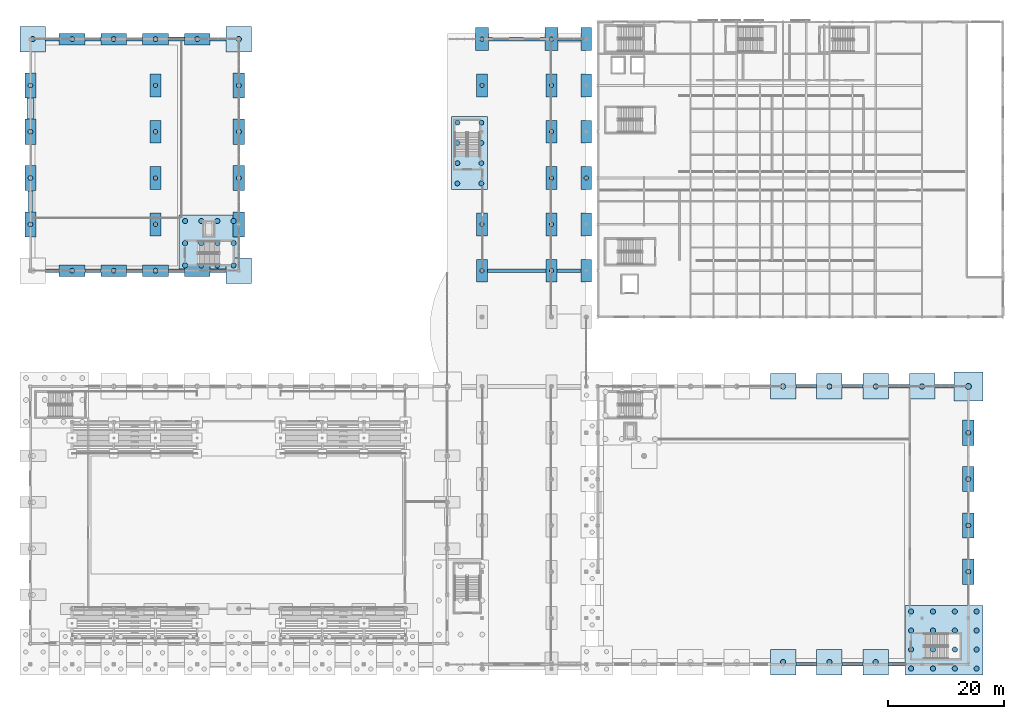
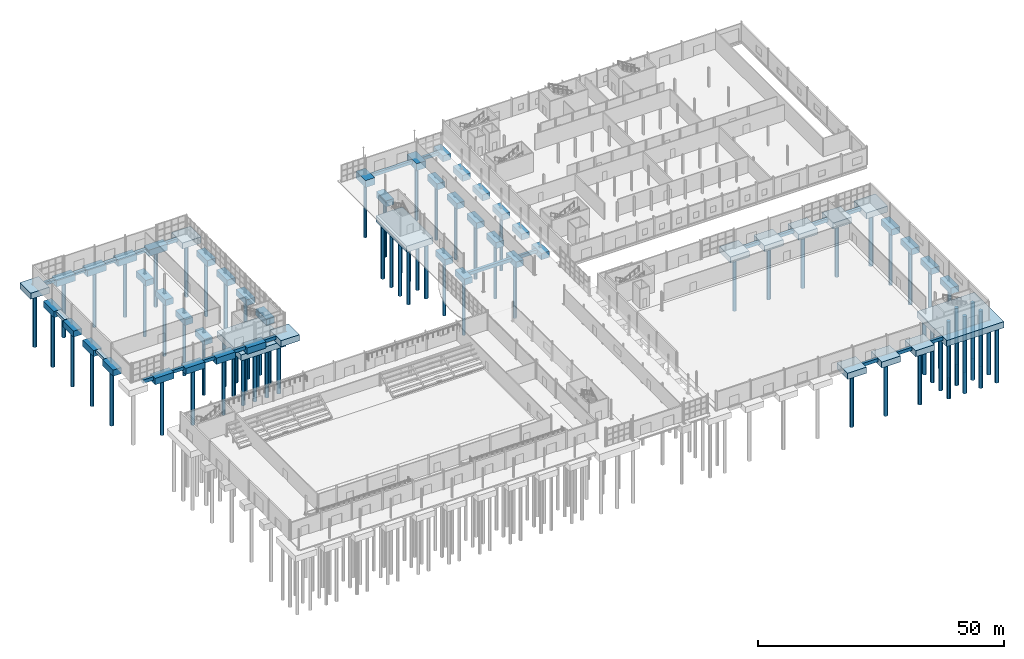
# One storey, part 3 of 101: 79 piles, 77 footings.
"""IFC4 building model written with IfcOpenShell, lengths in metres."""

from ifc_helpers import new_model, si_unit, derived_unit, direction, frame, origin, origin_2d, place, context, subcontext, project, spatial, rectangle, circle, extrude, material, material_profile, profile_set, type_object, element, save


model = new_model("IFC4")

# Units and contexts
model_context = context("Model", 3, precision=1e-05, world=origin(), true_north=direction((0.0, 1.0)))
body_context = subcontext(model_context, "Body", "Model", "MODEL_VIEW")
ifc_project = project(units=[si_unit("LENGTHUNIT", "METRE"), si_unit("AREAUNIT", "SQUARE_METRE"), si_unit("VOLUMEUNIT", "CUBIC_METRE"), si_unit("PLANEANGLEUNIT", "RADIAN"), si_unit("MASSUNIT", "GRAM", prefix="KILO"), derived_unit("THERMALTRANSMITTANCEUNIT", [(si_unit("POWERUNIT", "WATT"), 1), (si_unit("LENGTHUNIT", "METRE"), -2), (si_unit("THERMODYNAMICTEMPERATUREUNIT", "KELVIN"), -1)])], contexts=[model_context])

# Site, building, storey
site_placement = place(None, origin())
site = spatial("IfcSite", under=ifc_project, at=site_placement, CompositionType="ELEMENT")
building_placement = place(site_placement, origin())
building = spatial("IfcBuilding", under=site, at=building_placement, Name="Keldorne Ridge Multi-Sports Centre", CompositionType="ELEMENT")
storey_placement = place(building_placement, origin())
storey = spatial("IfcBuildingStorey", under=building, at=storey_placement, Name="L00", CompositionType="ELEMENT", Elevation=0.0)

# Footings
ifc_material = material(Name="Concrete C35/45", Category="concrete")
ifc_material_profile_1 = material_profile(ifc_material, rectangle(XDim=0.60009765625, YDim=0.800048828125, at=origin_2d()), Name="GB 600x800")
ifc_profile_set_1 = profile_set([ifc_material_profile_1], Name="Concrete C35/45")
footing_type_1 = type_object("IfcFootingType", Name="FTG-GB01", PredefinedType="FOOTING_BEAM", material=ifc_profile_set_1)
for number, where, z_axis, x_axis, name in (
    (1, (138.199951171875, 6.0, -0.64990234375), (1.0, 0.0, 0.0), (0.0, 1.0, 0.0), "Ground tie beam GB-017"),
    (2, (146.199951171875, 6.0, -0.64990234375), (1.0, 0.0, 0.0), (0.0, 1.0, 0.0), "Ground tie beam GB-018"),
):
    element("IfcFooting", number, at=place(storey_placement, frame(where, z_axis=z_axis, x_axis=x_axis)), inside=storey, type_object=footing_type_1, Name=name, PredefinedType="FOOTING_BEAM", context=body_context, shape_type="SweptSolid", body=[
        extrude(rectangle(XDim=0.60009765625, YDim=0.800048828125, at=origin_2d()), origin(), (0.0, 0.0, 1.0), 3.60009765625),
    ])
footing_1_placement = place(storey_placement, frame((154.199951171875, 6.0, -0.64990234375), z_axis=(1.0, 0.0, 0.0), x_axis=(0.0, 1.0, 0.0)))
element("IfcFooting", 3, at=footing_1_placement, inside=storey, type_object=footing_type_1, Name="Ground tie beam GB-019", PredefinedType="FOOTING_BEAM", context=body_context, shape_type="SweptSolid", body=[
    extrude(rectangle(XDim=0.60009765625, YDim=0.800048828125, at=origin_2d()), origin(), (0.0, 0.0, 1.0), 2.85009765625),
])
for number, where, z_axis, x_axis, name in (
    (4, (138.199951171875, 54.0, -0.64990234375), (1.0, 0.0, 0.0), (0.0, 1.0, 0.0), "Ground tie beam GB-046"),
    (5, (146.199951171875, 54.0, -0.64990234375), (1.0, 0.0, 0.0), (0.0, 1.0, 0.0), "Ground tie beam GB-047"),
    (6, (154.199951171875, 54.0, -0.64990234375), (1.0, 0.0, 0.0), (0.0, 1.0, 0.0), "Ground tie beam GB-048"),
):
    element("IfcFooting", number, at=place(storey_placement, frame(where, z_axis=z_axis, x_axis=x_axis)), inside=storey, type_object=footing_type_1, Name=name, PredefinedType="FOOTING_BEAM", context=body_context, shape_type="SweptSolid", body=[
        extrude(rectangle(XDim=0.60009765625, YDim=0.800048828125, at=origin_2d()), origin(), (0.0, 0.0, 1.0), 3.60009765625),
    ])
footing_2_placement = place(storey_placement, frame((162.199951171875, 54.0, -0.64990234375), z_axis=(1.0, 0.0, 0.0), x_axis=(0.0, 1.0, 0.0)))
element("IfcFooting", 7, at=footing_2_placement, inside=storey, type_object=footing_type_1, Name="Ground tie beam GB-049", PredefinedType="FOOTING_BEAM", context=body_context, shape_type="SweptSolid", body=[
    extrude(rectangle(XDim=0.60009765625, YDim=0.800048828125, at=origin_2d()), origin(), (0.0, 0.0, 1.0), 3.300048828125),
])
for number, where, z_axis, x_axis, name in (
    (8, (15.425048828125, 74.0, -0.64990234375), (1.0, 0.0, 0.0), (0.0, 1.0, 0.0), "Ground tie beam GB-051"),
    (9, (22.625, 74.0, -0.64990234375), (1.0, 0.0, 0.0), (0.0, 1.0, 0.0), "Ground tie beam GB-052"),
    (10, (29.824951171875, 74.0, -0.64990234375), (1.0, 0.0, 0.0), (0.0, 1.0, 0.0), "Ground tie beam GB-053"),
):
    element("IfcFooting", number, at=place(storey_placement, frame(where, z_axis=z_axis, x_axis=x_axis)), inside=storey, type_object=footing_type_1, Name=name, PredefinedType="FOOTING_BEAM", context=body_context, shape_type="SweptSolid", body=[
        extrude(rectangle(XDim=0.60009765625, YDim=0.800048828125, at=origin_2d()), origin(), (0.0, 0.0, 1.0), 2.75),
    ])
footing_3_placement = place(storey_placement, frame((37.02490234375, 74.0, -0.64990234375), z_axis=(1.0, 0.0, 0.0), x_axis=(0.0, 1.0, 0.0)))
element("IfcFooting", 11, at=footing_3_placement, inside=storey, type_object=footing_type_1, Name="Ground tie beam GB-054", PredefinedType="FOOTING_BEAM", context=body_context, shape_type="SweptSolid", body=[
    extrude(rectangle(XDim=0.60009765625, YDim=0.800048828125, at=origin_2d()), origin(), (0.0, 0.0, 1.0), 2.775146484375),
])
footing_4_placement = place(storey_placement, frame((96.925048828125, 74.0, -0.64990234375), z_axis=(1.0, 0.0, 0.0), x_axis=(0.0, 1.0, 0.0)))
element("IfcFooting", 12, at=footing_4_placement, inside=storey, type_object=footing_type_1, Name="Ground tie beam GB-056", PredefinedType="FOOTING_BEAM", context=body_context, shape_type="SweptSolid", body=[
    extrude(rectangle(XDim=0.60009765625, YDim=0.800048828125, at=origin_2d()), origin(), (0.0, 0.0, 1.0), 4.14990234375),
])
footing_5_placement = place(storey_placement, frame((8.60009765625, 114.0, -0.64990234375), z_axis=(1.0, 0.0, 0.0), x_axis=(0.0, 1.0, 0.0)))
element("IfcFooting", 13, at=footing_5_placement, inside=storey, type_object=footing_type_1, Name="Ground tie beam GB-057", PredefinedType="FOOTING_BEAM", context=body_context, shape_type="SweptSolid", body=[
    extrude(rectangle(XDim=0.60009765625, YDim=0.800048828125, at=origin_2d()), origin(), (0.0, 0.0, 1.0), 2.375),
])
for number, where, z_axis, x_axis, name in (
    (14, (15.425048828125, 114.0, -0.64990234375), (1.0, 0.0, 0.0), (0.0, 1.0, 0.0), "Ground tie beam GB-058"),
    (15, (22.625, 114.0, -0.64990234375), (1.0, 0.0, 0.0), (0.0, 1.0, 0.0), "Ground tie beam GB-059"),
):
    element("IfcFooting", number, at=place(storey_placement, frame(where, z_axis=z_axis, x_axis=x_axis)), inside=storey, type_object=footing_type_1, Name=name, PredefinedType="FOOTING_BEAM", context=body_context, shape_type="SweptSolid", body=[
        extrude(rectangle(XDim=0.60009765625, YDim=0.800048828125, at=origin_2d()), origin(), (0.0, 0.0, 1.0), 2.75),
    ])
footing_6_placement = place(storey_placement, frame((37.02490234375, 114.0, -0.64990234375), z_axis=(1.0, 0.0, 0.0), x_axis=(0.0, 1.0, 0.0)))
element("IfcFooting", 16, at=footing_6_placement, inside=storey, type_object=footing_type_1, Name="Ground tie beam GB-061", PredefinedType="FOOTING_BEAM", context=body_context, shape_type="SweptSolid", body=[
    extrude(rectangle(XDim=0.60009765625, YDim=0.800048828125, at=origin_2d()), origin(), (0.0, 0.0, 1.0), 2.775146484375),
])
footing_7_placement = place(storey_placement, frame((85.10009765625, 114.0, -0.64990234375), z_axis=(1.0, 0.0, 0.0), x_axis=(0.0, 1.0, 0.0)))
element("IfcFooting", 17, at=footing_7_placement, inside=storey, type_object=footing_type_1, Name="Ground tie beam GB-062", PredefinedType="FOOTING_BEAM", context=body_context, shape_type="SweptSolid", body=[
    extrude(rectangle(XDim=0.60009765625, YDim=0.800048828125, at=origin_2d()), origin(), (0.0, 0.0, 1.0), 9.7998046875),
])
footing_8_placement = place(storey_placement, frame((97.10009765625, 114.0, -0.64990234375), z_axis=(1.0, 0.0, 0.0), x_axis=(0.0, 1.0, 0.0)))
element("IfcFooting", 18, at=footing_8_placement, inside=storey, type_object=footing_type_1, Name="Ground tie beam GB-063", PredefinedType="FOOTING_BEAM", context=body_context, shape_type="SweptSolid", body=[
    extrude(rectangle(XDim=0.60009765625, YDim=0.800048828125, at=origin_2d()), origin(), (0.0, 0.0, 1.0), 3.974853515625),
])
ifc_material_profile_2 = material_profile(ifc_material, rectangle(XDim=0.64990234375, YDim=0.85009765625, at=origin_2d()), Name="GB 650x850")
ifc_profile_set_2 = profile_set([ifc_material_profile_2], Name="Concrete C35/45")
footing_type_2 = type_object("IfcFootingType", Name="FTG-GB03", PredefinedType="FOOTING_BEAM", material=ifc_profile_set_2)
footing_9_placement = place(storey_placement, frame((8.60009765625, 74.0, -0.64990234375), z_axis=(1.0, 0.0, 0.0), x_axis=(0.0, 1.0, 0.0)))
element("IfcFooting", 19, at=footing_9_placement, inside=storey, type_object=footing_type_2, Name="Ground tie beam GB-050", PredefinedType="FOOTING_BEAM", context=body_context, shape_type="SweptSolid", body=[
    extrude(rectangle(XDim=0.64990234375, YDim=0.85009765625, at=origin_2d()), origin(), (0.0, 0.0, 1.0), 2.375),
])
footing_10_placement = place(storey_placement, frame((84.925048828125, 74.0, -0.64990234375), z_axis=(1.0, 0.0, 0.0), x_axis=(0.0, 1.0, 0.0)))
element("IfcFooting", 20, at=footing_10_placement, inside=storey, type_object=footing_type_2, Name="Ground tie beam GB-055", PredefinedType="FOOTING_BEAM", context=body_context, shape_type="SweptSolid", body=[
    extrude(rectangle(XDim=0.64990234375, YDim=0.85009765625, at=origin_2d()), origin(), (0.0, 0.0, 1.0), 10.14990234375),
])
footing_11_placement = place(storey_placement, frame((29.824951171875, 114.0, -0.64990234375), z_axis=(1.0, 0.0, 0.0), x_axis=(0.0, 1.0, 0.0)))
element("IfcFooting", 21, at=footing_11_placement, inside=storey, type_object=footing_type_2, Name="Ground tie beam GB-060", PredefinedType="FOOTING_BEAM", context=body_context, shape_type="SweptSolid", body=[
    extrude(rectangle(XDim=0.64990234375, YDim=0.85009765625, at=origin_2d()), origin(), (0.0, 0.0, 1.0), 2.75),
])
footing_type_3 = type_object("IfcFootingType", Name="FTG-PC-01", PredefinedType="PILE_CAP", material=ifc_material)
for number, where, z_axis, x_axis, name in (
    (22, (27.60009765625, 82.0, -1.75), (0.0, 0.0, 1.0), (1.0, 0.0, 0.0), "Foundation FTG-V3-GAL-02"),
    (23, (27.60009765625, 90.0, -1.75), (0.0, 0.0, 1.0), (1.0, 0.0, 0.0), "Foundation FTG-V3-GAL-03"),
    (24, (27.60009765625, 98.0, -1.75), (0.0, 0.0, 1.0), (1.0, 0.0, 0.0), "Foundation FTG-V3-GAL-04"),
    (25, (27.60009765625, 106.0, -1.75), (0.0, 0.0, 1.0), (1.0, 0.0, 0.0), "Foundation FTG-V3-GAL-05"),
    (26, (84.0, 74.0, -1.75), (0.0, 0.0, 1.0), (1.0, 0.0, 0.0), "Foundation FTG-V4-G12-09"),
    (27, (96.0, 74.0, -1.75), (0.0, 0.0, 1.0), (1.0, 0.0, 0.0), "Foundation FTG-V4-G14-09"),
    (28, (102.0, 74.0, -1.75), (0.0, 0.0, 1.0), (1.0, 0.0, 0.0), "Foundation FTG-V4-G15-09"),
    (29, (84.0, 82.0, -1.75), (0.0, 0.0, 1.0), (1.0, 0.0, 0.0), "Foundation FTG-V4-G12-10"),
    (30, (96.0, 82.0, -1.75), (0.0, 0.0, 1.0), (1.0, 0.0, 0.0), "Foundation FTG-V4-G14-10"),
    (31, (102.0, 82.0, -1.75), (0.0, 0.0, 1.0), (1.0, 0.0, 0.0), "Foundation FTG-V4-G15-10"),
    (32, (96.0, 90.0, -1.75), (0.0, 0.0, 1.0), (1.0, 0.0, 0.0), "Foundation FTG-V4-G14-11"),
    (33, (102.0, 90.0, -1.75), (0.0, 0.0, 1.0), (1.0, 0.0, 0.0), "Foundation FTG-V4-G15-11"),
    (34, (96.0, 98.0, -1.75), (0.0, 0.0, 1.0), (1.0, 0.0, 0.0), "Foundation FTG-V4-G14-12"),
    (35, (102.0, 98.0, -1.75), (0.0, 0.0, 1.0), (1.0, 0.0, 0.0), "Foundation FTG-V4-G15-12"),
    (36, (84.0, 106.0, -1.75), (0.0, 0.0, 1.0), (1.0, 0.0, 0.0), "Foundation FTG-V4-G12-13"),
    (37, (96.0, 106.0, -1.75), (0.0, 0.0, 1.0), (1.0, 0.0, 0.0), "Foundation FTG-V4-G14-13"),
    (38, (102.0, 106.0, -1.75), (0.0, 0.0, 1.0), (1.0, 0.0, 0.0), "Foundation FTG-V4-G15-13"),
    (39, (102.0, 114.0, -1.75), (0.0, 0.0, 1.0), (1.0, 0.0, 0.0), "Foundation FTG-V4-G15-14"),
):
    element("IfcFooting", number, at=place(storey_placement, frame(where, z_axis=z_axis, x_axis=x_axis)), inside=storey, type_object=footing_type_3, Name=name, PredefinedType="PILE_CAP", context=body_context, shape_type="SweptSolid", body=[
        extrude(rectangle(XDim=1.85009765625, YDim=3.949951171875, at=origin_2d()), origin(), (0.0, 0.0, 1.0), 1.5),
    ])
footing_type_4 = type_object("IfcFootingType", Name="FTG-PC-03", PredefinedType="PILE_CAP", material=ifc_material)
for number, where, z_axis, x_axis, name in (
    (40, (6.0, 82.0, -1.75), (0.0, 0.0, 1.0), (1.0, 0.0, 0.0), "Foundation FTG-V3-SIDE-W-02"),
    (41, (42.0, 82.0, -1.75), (0.0, 0.0, 1.0), (1.0, 0.0, 0.0), "Foundation FTG-V3-SIDE-E-02"),
    (42, (6.0, 90.0, -1.75), (0.0, 0.0, 1.0), (1.0, 0.0, 0.0), "Foundation FTG-V3-SIDE-W-03"),
    (43, (42.0, 90.0, -1.75), (0.0, 0.0, 1.0), (1.0, 0.0, 0.0), "Foundation FTG-V3-SIDE-E-03"),
    (44, (6.0, 98.0, -1.75), (0.0, 0.0, 1.0), (1.0, 0.0, 0.0), "Foundation FTG-V3-SIDE-W-04"),
    (45, (42.0, 98.0, -1.75), (0.0, 0.0, 1.0), (1.0, 0.0, 0.0), "Foundation FTG-V3-SIDE-E-04"),
    (46, (6.0, 106.0, -1.75), (0.0, 0.0, 1.0), (1.0, 0.0, 0.0), "Foundation FTG-V3-SIDE-W-05"),
    (47, (42.0, 106.0, -1.75), (0.0, 0.0, 1.0), (1.0, 0.0, 0.0), "Foundation FTG-V3-SIDE-E-05"),
    (48, (168.0, 22.0, -1.75), (0.0, 0.0, 1.0), (1.0, 0.0, 0.0), "Foundation FTG-V2-GABLE-E-02"),
    (49, (168.0, 30.0, -1.75), (0.0, 0.0, 1.0), (1.0, 0.0, 0.0), "Foundation FTG-V2-GABLE-E-03"),
    (50, (168.0, 38.0, -1.75), (0.0, 0.0, 1.0), (1.0, 0.0, 0.0), "Foundation FTG-V2-GABLE-E-04"),
    (51, (168.0, 46.0, -1.75), (0.0, 0.0, 1.0), (1.0, 0.0, 0.0), "Foundation FTG-V2-GABLE-E-05"),
):
    element("IfcFooting", number, at=place(storey_placement, frame(where, z_axis=z_axis, x_axis=x_axis)), inside=storey, type_object=footing_type_4, Name=name, PredefinedType="PILE_CAP", context=body_context, shape_type="SweptSolid", body=[
        extrude(rectangle(XDim=1.949951171875, YDim=4.35009765625, at=origin_2d()), origin(), (0.0, 0.0, 1.0), 1.5),
    ])
footing_type_5 = type_object("IfcFootingType", Name="FTG-PC-04", PredefinedType="PILE_CAP", material=ifc_material)
for number, where, z_axis, x_axis, name in (
    (52, (13.199951171875, 74.0, -1.7998046875), (0.0, 0.0, 1.0), (1.0, 0.0, 0.0), "Foundation FTG-V3-PER-S-02"),
    (53, (13.199951171875, 114.0, -1.7998046875), (0.0, 0.0, 1.0), (1.0, 0.0, 0.0), "Foundation FTG-V3-PER-N-02"),
    (54, (20.39990234375, 74.0, -1.7998046875), (0.0, 0.0, 1.0), (1.0, 0.0, 0.0), "Foundation FTG-V3-PER-S-03"),
    (55, (20.39990234375, 114.0, -1.7998046875), (0.0, 0.0, 1.0), (1.0, 0.0, 0.0), "Foundation FTG-V3-PER-N-03"),
    (56, (27.60009765625, 74.0, -1.7998046875), (0.0, 0.0, 1.0), (1.0, 0.0, 0.0), "Foundation FTG-V3-PER-S-04"),
    (57, (27.60009765625, 114.0, -1.7998046875), (0.0, 0.0, 1.0), (1.0, 0.0, 0.0), "Foundation FTG-V3-PER-N-04"),
    (58, (34.800048828125, 74.0, -1.7998046875), (0.0, 0.0, 1.0), (1.0, 0.0, 0.0), "Foundation FTG-V3-PER-S-05"),
    (59, (34.800048828125, 114.0, -1.7998046875), (0.0, 0.0, 1.0), (1.0, 0.0, 0.0), "Foundation FTG-V3-PER-N-05"),
):
    element("IfcFooting", number, at=place(storey_placement, frame(where, z_axis=z_axis, x_axis=x_axis)), inside=storey, type_object=footing_type_5, Name=name, PredefinedType="PILE_CAP", context=body_context, shape_type="SweptSolid", body=[
        extrude(rectangle(XDim=4.449951171875, YDim=2.0, at=origin_2d()), origin(), (0.0, 0.0, 1.0), 1.550048828125),
    ])
footing_type_6 = type_object("IfcFootingType", Name="FTG-PC-05", PredefinedType="PILE_CAP", material=ifc_material)
for number, where, z_axis, x_axis, name in (
    (60, (6.39990234375, 114.0, -1.75), (0.0, 0.0, 1.0), (1.0, 0.0, 0.0), "Foundation FTG-V3-PER-N-01"),
    (61, (42.0, 74.0, -1.75), (0.0, 0.0, 1.0), (1.0, 0.0, 0.0), "Foundation FTG-V3-PER-S-06"),
    (62, (42.0, 114.0, -1.75), (0.0, 0.0, 1.0), (1.0, 0.0, 0.0), "Foundation FTG-V3-PER-N-06"),
    (63, (136.0, 6.39990234375, -1.75), (0.0, 0.0, 1.0), (1.0, 0.0, 0.0), "Foundation FTG-V2-TRUSS-S-05"),
    (64, (136.0, 54.0, -1.75), (0.0, 0.0, 1.0), (1.0, 0.0, 0.0), "Foundation FTG-V2-TRUSS-N-05"),
    (65, (144.0, 6.39990234375, -1.75), (0.0, 0.0, 1.0), (1.0, 0.0, 0.0), "Foundation FTG-V2-TRUSS-S-06"),
    (66, (144.0, 54.0, -1.75), (0.0, 0.0, 1.0), (1.0, 0.0, 0.0), "Foundation FTG-V2-TRUSS-N-06"),
    (67, (152.0, 6.39990234375, -1.75), (0.0, 0.0, 1.0), (1.0, 0.0, 0.0), "Foundation FTG-V2-TRUSS-S-07"),
    (68, (152.0, 54.0, -1.75), (0.0, 0.0, 1.0), (1.0, 0.0, 0.0), "Foundation FTG-V2-TRUSS-N-07"),
    (69, (160.0, 54.0, -1.75), (0.0, 0.0, 1.0), (1.0, 0.0, 0.0), "Foundation FTG-V2-TRUSS-N-08"),
):
    element("IfcFooting", number, at=place(storey_placement, frame(where, z_axis=z_axis, x_axis=x_axis)), inside=storey, type_object=footing_type_6, Name=name, PredefinedType="PILE_CAP", context=body_context, shape_type="SweptSolid", body=[
        extrude(rectangle(XDim=4.39990234375, YDim=4.39990234375, at=origin_2d()), origin(), (0.0, 0.0, 1.0), 1.5),
    ])
footing_type_7 = type_object("IfcFootingType", Name="FTG-PC-06", PredefinedType="PILE_CAP", material=ifc_material)
footing_12_placement = place(storey_placement, frame((168.0, 54.0, -1.75), z_axis=(0.0, 0.0, 1.0), x_axis=(1.0, 0.0, 0.0)))
element("IfcFooting", 70, at=footing_12_placement, inside=storey, type_object=footing_type_7, Name="Foundation FTG-V2-TRUSS-N-09", PredefinedType="PILE_CAP", context=body_context, shape_type="SweptSolid", body=[
    extrude(rectangle(XDim=5.0, YDim=5.0, at=origin_2d()), origin(), (0.0, 0.0, 1.0), 1.5),
])
footing_type_8 = type_object("IfcFootingType", Name="FTG-PC-16", PredefinedType="PILE_CAP", material=ifc_material)
footing_13_placement = place(storey_placement, frame((36.89990234375, 78.75, -3.64990234375), z_axis=(0.0, 0.0, 1.0), x_axis=(1.0, 0.0, 0.0)))
element("IfcFooting", 71, at=footing_13_placement, inside=storey, type_object=footing_type_8, Name="Foundation FTG-CORE-CORE-C6", PredefinedType="PILE_CAP", context=body_context, shape_type="SweptSolid", body=[
    extrude(rectangle(XDim=10.5, YDim=9.800048828125, at=origin_2d()), origin(), (0.0, 0.0, 1.0), 1.5),
])
footing_type_9 = type_object("IfcFootingType", Name="FTG-PCC-1345X1200", PredefinedType="PILE_CAP", material=ifc_material)
footing_14_placement = place(storey_placement, frame((163.77490234375, 10.199951171875, -1.77001953125), z_axis=(0.0, 0.0, 1.0), x_axis=(1.0, 0.0, 0.0)))
element("IfcFooting", 72, at=footing_14_placement, inside=storey, type_object=footing_type_9, Name="Foundation FTG-CORE-CORE-C5", PredefinedType="PILE_CAP", context=body_context, shape_type="SweptSolid", body=[
    extrude(rectangle(XDim=13.449951171875, YDim=12.0, at=origin_2d()), origin(), (0.0, 0.0, 1.0), 1.52001953125),
])
footing_type_10 = type_object("IfcFootingType", Name="FTG-PCC-220X395", PredefinedType="PILE_CAP", material=ifc_material)
for number, where, z_axis, x_axis, name in (
    (73, (84.0, 114.0, -1.75), (0.0, 0.0, 1.0), (1.0, 0.0, 0.0), "Foundation FTG-V4-G12-14"),
    (74, (96.0, 114.0, -1.75), (0.0, 0.0, 1.0), (1.0, 0.0, 0.0), "Foundation FTG-V4-G14-14"),
):
    element("IfcFooting", number, at=place(storey_placement, frame(where, z_axis=z_axis, x_axis=x_axis)), inside=storey, type_object=footing_type_10, Name=name, PredefinedType="PILE_CAP", context=body_context, shape_type="SweptSolid", body=[
        extrude(rectangle(XDim=2.199951171875, YDim=3.949951171875, at=origin_2d()), origin(), (0.0, 0.0, 1.0), 1.75),
    ])
footing_type_11 = type_object("IfcFootingType", Name="FTG-PCC-622X1258", PredefinedType="PILE_CAP", material=ifc_material)
footing_15_placement = place(storey_placement, frame((81.8125, 94.3125, -1.77001953125), z_axis=(0.0, 0.0, 1.0), x_axis=(1.0, 0.0, 0.0)))
element("IfcFooting", 75, at=footing_15_placement, inside=storey, type_object=footing_type_11, Name="Foundation FTG-STR-ST-08", PredefinedType="PILE_CAP", context=body_context, shape_type="SweptSolid", body=[
    extrude(rectangle(XDim=6.22509765625, YDim=12.574951171875, at=origin_2d()), origin(), (0.0, 0.0, 1.0), 1.52001953125),
])
ifc_material_profile_3 = material_profile(ifc_material, rectangle(XDim=0.89990234375, YDim=0.699951171875, at=origin_2d()), Name="SF 900x700")
ifc_profile_set_3 = profile_set([ifc_material_profile_3], Name="Concrete C35/45")
footing_type_12 = type_object("IfcFootingType", Name="FTG-SF01", PredefinedType="STRIP_FOOTING", material=ifc_profile_set_3)
footing_16_placement = place(storey_placement, frame((6.0, 84.195068359375, -0.60009765625), z_axis=(0.0, 1.0, 0.0), x_axis=(-1.0, 0.0, 0.0)))
element("IfcFooting", 76, at=footing_16_placement, inside=storey, type_object=footing_type_12, Name="Perimeter strip footing SF-05", PredefinedType="STRIP_FOOTING", context=body_context, shape_type="SweptSolid", body=[
    extrude(rectangle(XDim=0.89990234375, YDim=0.699951171875, at=origin_2d()), origin(), (0.0, 0.0, 1.0), 3.60986328125),
])
ifc_material_profile_4 = material_profile(ifc_material, rectangle(XDim=1.10009765625, YDim=0.800048828125, at=origin_2d()), Name="SF 1100x800")
ifc_profile_set_4 = profile_set([ifc_material_profile_4], Name="Concrete C35/45")
footing_type_13 = type_object("IfcFootingType", Name="FTG-SF02", PredefinedType="STRIP_FOOTING", material=ifc_profile_set_4)
footing_17_placement = place(storey_placement, frame((6.0, 100.195068359375, -0.60009765625), z_axis=(0.0, 1.0, 0.0), x_axis=(-1.0, 0.0, 0.0)))
element("IfcFooting", 77, at=footing_17_placement, inside=storey, type_object=footing_type_13, Name="Perimeter strip footing SF-06", PredefinedType="STRIP_FOOTING", context=body_context, shape_type="SweptSolid", body=[
    extrude(rectangle(XDim=1.10009765625, YDim=0.800048828125, at=origin_2d()), origin(), (0.0, 0.0, 1.0), 3.60986328125),
])

# Piles
ifc_material_profile_5 = material_profile(ifc_material, circle(Radius=0.375, at=origin_2d()), Name="BORED PILE D750")
ifc_profile_set_5 = profile_set([ifc_material_profile_5], Name="Concrete C35/45")
pile_type_1 = type_object("IfcPileType", Name="PILE-BP01", PredefinedType="BORED", material=ifc_profile_set_5)
for number, where, z_axis, x_axis, name in (
    (78, (27.60009765625, 82.0, -1.60009765625), (0.0, 0.0, -1.0), (1.0, 0.0, 0.0), "Bored pile P-0217"),
    (79, (27.60009765625, 90.0, -1.60009765625), (0.0, 0.0, -1.0), (1.0, 0.0, 0.0), "Bored pile P-0220"),
    (80, (27.60009765625, 98.0, -1.60009765625), (0.0, 0.0, -1.0), (1.0, 0.0, 0.0), "Bored pile P-0223"),
    (81, (27.60009765625, 106.0, -1.60009765625), (0.0, 0.0, -1.0), (1.0, 0.0, 0.0), "Bored pile P-0226"),
    (82, (84.0, 74.0, -1.60009765625), (0.0, 0.0, -1.0), (1.0, 0.0, 0.0), "Bored pile P-0256"),
    (83, (96.0, 74.0, -1.60009765625), (0.0, 0.0, -1.0), (1.0, 0.0, 0.0), "Bored pile P-0257"),
    (84, (84.0, 82.0, -1.60009765625), (0.0, 0.0, -1.0), (1.0, 0.0, 0.0), "Bored pile P-0258"),
    (85, (96.0, 82.0, -1.60009765625), (0.0, 0.0, -1.0), (1.0, 0.0, 0.0), "Bored pile P-0259"),
    (86, (96.0, 90.0, -1.60009765625), (0.0, 0.0, -1.0), (1.0, 0.0, 0.0), "Bored pile P-0260"),
    (87, (102.0, 90.0, -1.60009765625), (0.0, 0.0, -1.0), (1.0, 0.0, 0.0), "Bored pile P-0261"),
    (88, (96.0, 98.0, -1.60009765625), (0.0, 0.0, -1.0), (1.0, 0.0, 0.0), "Bored pile P-0262"),
    (89, (84.0, 106.0, -1.60009765625), (0.0, 0.0, -1.0), (1.0, 0.0, 0.0), "Bored pile P-0263"),
    (90, (96.0, 106.0, -1.60009765625), (0.0, 0.0, -1.0), (1.0, 0.0, 0.0), "Bored pile P-0264"),
    (91, (84.0, 114.0, -1.60009765625), (0.0, 0.0, -1.0), (1.0, 0.0, 0.0), "Bored pile P-0265"),
    (92, (96.0, 114.0, -1.60009765625), (0.0, 0.0, -1.0), (1.0, 0.0, 0.0), "Bored pile P-0266"),
):
    element("IfcPile", number, at=place(storey_placement, frame(where, z_axis=z_axis, x_axis=x_axis)), inside=storey, type_object=pile_type_1, Name=name, PredefinedType="BORED", context=body_context, shape_type="SweptSolid", body=[
        extrude(circle(Radius=0.375, at=origin_2d()), origin(), (0.0, 0.0, 1.0), 13.89990234375),
    ])
ifc_material_profile_6 = material_profile(ifc_material, circle(Radius=0.425048828125, at=origin_2d()), Name="BORED PILE D850")
ifc_profile_set_6 = profile_set([ifc_material_profile_6], Name="Concrete C35/45")
pile_type_2 = type_object("IfcPileType", Name="PILE-BP02", PredefinedType="BORED", material=ifc_profile_set_6)
for number, where, z_axis, x_axis, name in (
    (93, (79.7451171875, 89.070068359375, -1.6201171875), (0.0, 0.0, -1.0), (1.0, 0.0, 0.0), "Bored pile P-0093"),
    (94, (79.7451171875, 92.56494140625, -1.6201171875), (0.0, 0.0, -1.0), (1.0, 0.0, 0.0), "Bored pile P-0094"),
    (95, (79.7451171875, 96.06005859375, -1.6201171875), (0.0, 0.0, -1.0), (1.0, 0.0, 0.0), "Bored pile P-0095"),
    (96, (79.7451171875, 99.554931640625, -1.6201171875), (0.0, 0.0, -1.0), (1.0, 0.0, 0.0), "Bored pile P-0096"),
    (97, (83.8798828125, 89.070068359375, -1.6201171875), (0.0, 0.0, -1.0), (1.0, 0.0, 0.0), "Bored pile P-0097"),
    (98, (83.8798828125, 92.56494140625, -1.6201171875), (0.0, 0.0, -1.0), (1.0, 0.0, 0.0), "Bored pile P-0098"),
    (99, (83.8798828125, 96.06005859375, -1.6201171875), (0.0, 0.0, -1.0), (1.0, 0.0, 0.0), "Bored pile P-0099"),
    (100, (83.8798828125, 99.554931640625, -1.6201171875), (0.0, 0.0, -1.0), (1.0, 0.0, 0.0), "Bored pile P-0100"),
):
    element("IfcPile", number, at=place(storey_placement, frame(where, z_axis=z_axis, x_axis=x_axis)), inside=storey, type_object=pile_type_2, Name=name, PredefinedType="BORED", context=body_context, shape_type="SweptSolid", body=[
        extrude(circle(Radius=0.425048828125, at=origin_2d()), origin(), (0.0, 0.0, 1.0), 13.8798828125),
    ])
for number, where, z_axis, x_axis, name in (
    (101, (13.199951171875, 74.0, -1.64990234375), (0.0, 0.0, -1.0), (1.0, 0.0, 0.0), "Bored pile P-0208"),
    (102, (13.199951171875, 114.0, -1.64990234375), (0.0, 0.0, -1.0), (1.0, 0.0, 0.0), "Bored pile P-0209"),
    (103, (20.39990234375, 74.0, -1.64990234375), (0.0, 0.0, -1.0), (1.0, 0.0, 0.0), "Bored pile P-0210"),
    (104, (20.39990234375, 114.0, -1.64990234375), (0.0, 0.0, -1.0), (1.0, 0.0, 0.0), "Bored pile P-0211"),
    (105, (27.60009765625, 74.0, -1.64990234375), (0.0, 0.0, -1.0), (1.0, 0.0, 0.0), "Bored pile P-0212"),
    (106, (27.60009765625, 114.0, -1.64990234375), (0.0, 0.0, -1.0), (1.0, 0.0, 0.0), "Bored pile P-0213"),
    (107, (34.800048828125, 114.0, -1.64990234375), (0.0, 0.0, -1.0), (1.0, 0.0, 0.0), "Bored pile P-0214"),
):
    element("IfcPile", number, at=place(storey_placement, frame(where, z_axis=z_axis, x_axis=x_axis)), inside=storey, type_object=pile_type_2, Name=name, PredefinedType="BORED", context=body_context, shape_type="SweptSolid", body=[
        extrude(circle(Radius=0.425048828125, at=origin_2d()), origin(), (0.0, 0.0, 1.0), 13.85009765625),
    ])
for number, where, z_axis, x_axis, name in (
    (108, (6.0, 82.0, -1.60009765625), (0.0, 0.0, -1.0), (1.0, 0.0, 0.0), "Bored pile P-0216"),
    (109, (6.0, 90.0, -1.60009765625), (0.0, 0.0, -1.0), (1.0, 0.0, 0.0), "Bored pile P-0218"),
    (110, (42.0, 90.0, -1.60009765625), (0.0, 0.0, -1.0), (1.0, 0.0, 0.0), "Bored pile P-0219"),
    (111, (6.0, 98.0, -1.60009765625), (0.0, 0.0, -1.0), (1.0, 0.0, 0.0), "Bored pile P-0221"),
    (112, (42.0, 98.0, -1.60009765625), (0.0, 0.0, -1.0), (1.0, 0.0, 0.0), "Bored pile P-0222"),
    (113, (6.0, 106.0, -1.60009765625), (0.0, 0.0, -1.0), (1.0, 0.0, 0.0), "Bored pile P-0224"),
    (114, (42.0, 106.0, -1.60009765625), (0.0, 0.0, -1.0), (1.0, 0.0, 0.0), "Bored pile P-0225"),
    (115, (168.0, 22.0, -1.60009765625), (0.0, 0.0, -1.0), (1.0, 0.0, 0.0), "Bored pile P-0281"),
    (116, (168.0, 30.0, -1.60009765625), (0.0, 0.0, -1.0), (1.0, 0.0, 0.0), "Bored pile P-0282"),
    (117, (168.0, 38.0, -1.60009765625), (0.0, 0.0, -1.0), (1.0, 0.0, 0.0), "Bored pile P-0283"),
    (118, (168.0, 46.0, -1.60009765625), (0.0, 0.0, -1.0), (1.0, 0.0, 0.0), "Bored pile P-0284"),
):
    element("IfcPile", number, at=place(storey_placement, frame(where, z_axis=z_axis, x_axis=x_axis)), inside=storey, type_object=pile_type_2, Name=name, PredefinedType="BORED", context=body_context, shape_type="SweptSolid", body=[
        extrude(circle(Radius=0.425048828125, at=origin_2d()), origin(), (0.0, 0.0, 1.0), 13.89990234375),
    ])
ifc_material_profile_7 = material_profile(ifc_material, circle(Radius=0.449951171875, at=origin_2d()), Name="BORED PILE D900")
ifc_profile_set_7 = profile_set([ifc_material_profile_7], Name="Concrete C35/45")
pile_type_3 = type_object("IfcPileType", Name="PILE-BP03", PredefinedType="BORED", material=ifc_profile_set_7)
for number, where, z_axis, x_axis, name in (
    (119, (158.1201171875, 5.27001953125, -1.6201171875), (0.0, 0.0, -1.0), (1.0, 0.0, 0.0), "Bored pile P-0053"),
    (120, (158.1201171875, 8.556640625, -1.6201171875), (0.0, 0.0, -1.0), (1.0, 0.0, 0.0), "Bored pile P-0054"),
    (121, (158.1201171875, 11.84326171875, -1.6201171875), (0.0, 0.0, -1.0), (1.0, 0.0, 0.0), "Bored pile P-0055"),
    (122, (158.1201171875, 15.1298828125, -1.6201171875), (0.0, 0.0, -1.0), (1.0, 0.0, 0.0), "Bored pile P-0056"),
    (123, (161.889892578125, 5.27001953125, -1.6201171875), (0.0, 0.0, -1.0), (1.0, 0.0, 0.0), "Bored pile P-0057"),
    (124, (161.889892578125, 8.556640625, -1.6201171875), (0.0, 0.0, -1.0), (1.0, 0.0, 0.0), "Bored pile P-0058"),
    (125, (161.889892578125, 11.84326171875, -1.6201171875), (0.0, 0.0, -1.0), (1.0, 0.0, 0.0), "Bored pile P-0059"),
    (126, (161.889892578125, 15.1298828125, -1.6201171875), (0.0, 0.0, -1.0), (1.0, 0.0, 0.0), "Bored pile P-0060"),
    (127, (165.659912109375, 5.27001953125, -1.6201171875), (0.0, 0.0, -1.0), (1.0, 0.0, 0.0), "Bored pile P-0061"),
    (128, (165.659912109375, 8.556640625, -1.6201171875), (0.0, 0.0, -1.0), (1.0, 0.0, 0.0), "Bored pile P-0062"),
    (129, (165.659912109375, 11.84326171875, -1.6201171875), (0.0, 0.0, -1.0), (1.0, 0.0, 0.0), "Bored pile P-0063"),
    (130, (165.659912109375, 15.1298828125, -1.6201171875), (0.0, 0.0, -1.0), (1.0, 0.0, 0.0), "Bored pile P-0064"),
    (131, (169.429931640625, 5.27001953125, -1.6201171875), (0.0, 0.0, -1.0), (1.0, 0.0, 0.0), "Bored pile P-0065"),
    (132, (169.429931640625, 8.556640625, -1.6201171875), (0.0, 0.0, -1.0), (1.0, 0.0, 0.0), "Bored pile P-0066"),
    (133, (169.429931640625, 11.84326171875, -1.6201171875), (0.0, 0.0, -1.0), (1.0, 0.0, 0.0), "Bored pile P-0067"),
    (134, (169.429931640625, 15.1298828125, -1.6201171875), (0.0, 0.0, -1.0), (1.0, 0.0, 0.0), "Bored pile P-0068"),
):
    element("IfcPile", number, at=place(storey_placement, frame(where, z_axis=z_axis, x_axis=x_axis)), inside=storey, type_object=pile_type_3, Name=name, PredefinedType="BORED", context=body_context, shape_type="SweptSolid", body=[
        extrude(circle(Radius=0.449951171875, at=origin_2d()), origin(), (0.0, 0.0, 1.0), 13.8798828125),
    ])
for number, where, z_axis, x_axis, name in (
    (135, (32.719970703125, 74.919921875, -3.5), (0.0, 0.0, -1.0), (1.0, 0.0, 0.0), "Bored pile P-0069"),
    (136, (32.719970703125, 78.75, -3.5), (0.0, 0.0, -1.0), (1.0, 0.0, 0.0), "Bored pile P-0070"),
    (137, (32.719970703125, 82.580078125, -3.5), (0.0, 0.0, -1.0), (1.0, 0.0, 0.0), "Bored pile P-0071"),
    (138, (35.506591796875, 74.919921875, -3.5), (0.0, 0.0, -1.0), (1.0, 0.0, 0.0), "Bored pile P-0072"),
    (139, (35.506591796875, 78.75, -3.5), (0.0, 0.0, -1.0), (1.0, 0.0, 0.0), "Bored pile P-0073"),
    (140, (35.506591796875, 82.580078125, -3.5), (0.0, 0.0, -1.0), (1.0, 0.0, 0.0), "Bored pile P-0074"),
    (141, (38.293212890625, 74.919921875, -3.5), (0.0, 0.0, -1.0), (1.0, 0.0, 0.0), "Bored pile P-0075"),
    (142, (38.293212890625, 78.75, -3.5), (0.0, 0.0, -1.0), (1.0, 0.0, 0.0), "Bored pile P-0076"),
    (143, (38.293212890625, 82.580078125, -3.5), (0.0, 0.0, -1.0), (1.0, 0.0, 0.0), "Bored pile P-0077"),
    (144, (41.080078125, 74.919921875, -3.5), (0.0, 0.0, -1.0), (1.0, 0.0, 0.0), "Bored pile P-0078"),
    (145, (41.080078125, 78.75, -3.5), (0.0, 0.0, -1.0), (1.0, 0.0, 0.0), "Bored pile P-0079"),
    (146, (41.080078125, 82.580078125, -3.5), (0.0, 0.0, -1.0), (1.0, 0.0, 0.0), "Bored pile P-0080"),
):
    element("IfcPile", number, at=place(storey_placement, frame(where, z_axis=z_axis, x_axis=x_axis)), inside=storey, type_object=pile_type_3, Name=name, PredefinedType="BORED", context=body_context, shape_type="SweptSolid", body=[
        extrude(circle(Radius=0.449951171875, at=origin_2d()), origin(), (0.0, 0.0, 1.0), 12.0),
    ])
for number, where, z_axis, x_axis, name in (
    (147, (6.39990234375, 114.0, -1.60009765625), (0.0, 0.0, -1.0), (1.0, 0.0, 0.0), "Bored pile P-0207"),
    (148, (42.0, 114.0, -1.60009765625), (0.0, 0.0, -1.0), (1.0, 0.0, 0.0), "Bored pile P-0215"),
    (149, (136.0, 6.39990234375, -1.60009765625), (0.0, 0.0, -1.0), (1.0, 0.0, 0.0), "Bored pile P-0272"),
    (150, (136.0, 54.0, -1.60009765625), (0.0, 0.0, -1.0), (1.0, 0.0, 0.0), "Bored pile P-0273"),
    (151, (144.0, 6.39990234375, -1.60009765625), (0.0, 0.0, -1.0), (1.0, 0.0, 0.0), "Bored pile P-0274"),
    (152, (144.0, 54.0, -1.60009765625), (0.0, 0.0, -1.0), (1.0, 0.0, 0.0), "Bored pile P-0275"),
    (153, (152.0, 6.39990234375, -1.60009765625), (0.0, 0.0, -1.0), (1.0, 0.0, 0.0), "Bored pile P-0276"),
    (154, (152.0, 54.0, -1.60009765625), (0.0, 0.0, -1.0), (1.0, 0.0, 0.0), "Bored pile P-0277"),
    (155, (160.0, 54.0, -1.60009765625), (0.0, 0.0, -1.0), (1.0, 0.0, 0.0), "Bored pile P-0278"),
):
    element("IfcPile", number, at=place(storey_placement, frame(where, z_axis=z_axis, x_axis=x_axis)), inside=storey, type_object=pile_type_3, Name=name, PredefinedType="BORED", context=body_context, shape_type="SweptSolid", body=[
        extrude(circle(Radius=0.449951171875, at=origin_2d()), origin(), (0.0, 0.0, 1.0), 13.89990234375),
    ])
ifc_material_profile_8 = material_profile(ifc_material, circle(Radius=0.52490234375, at=origin_2d()), Name="BORED PILE D1050")
ifc_profile_set_8 = profile_set([ifc_material_profile_8], Name="Concrete C35/45")
pile_type_4 = type_object("IfcPileType", Name="PILE-BP04", PredefinedType="BORED", material=ifc_profile_set_8)
pile_placement = place(storey_placement, frame((168.0, 54.0, -1.60009765625), z_axis=(0.0, 0.0, -1.0), x_axis=(1.0, 0.0, 0.0)))
element("IfcPile", 156, at=pile_placement, inside=storey, type_object=pile_type_4, Name="Bored pile P-0279", PredefinedType="BORED", context=body_context, shape_type="SweptSolid", body=[
    extrude(circle(Radius=0.52490234375, at=origin_2d()), origin(), (0.0, 0.0, 1.0), 13.89990234375),
])

save(model, "model.ifc")
